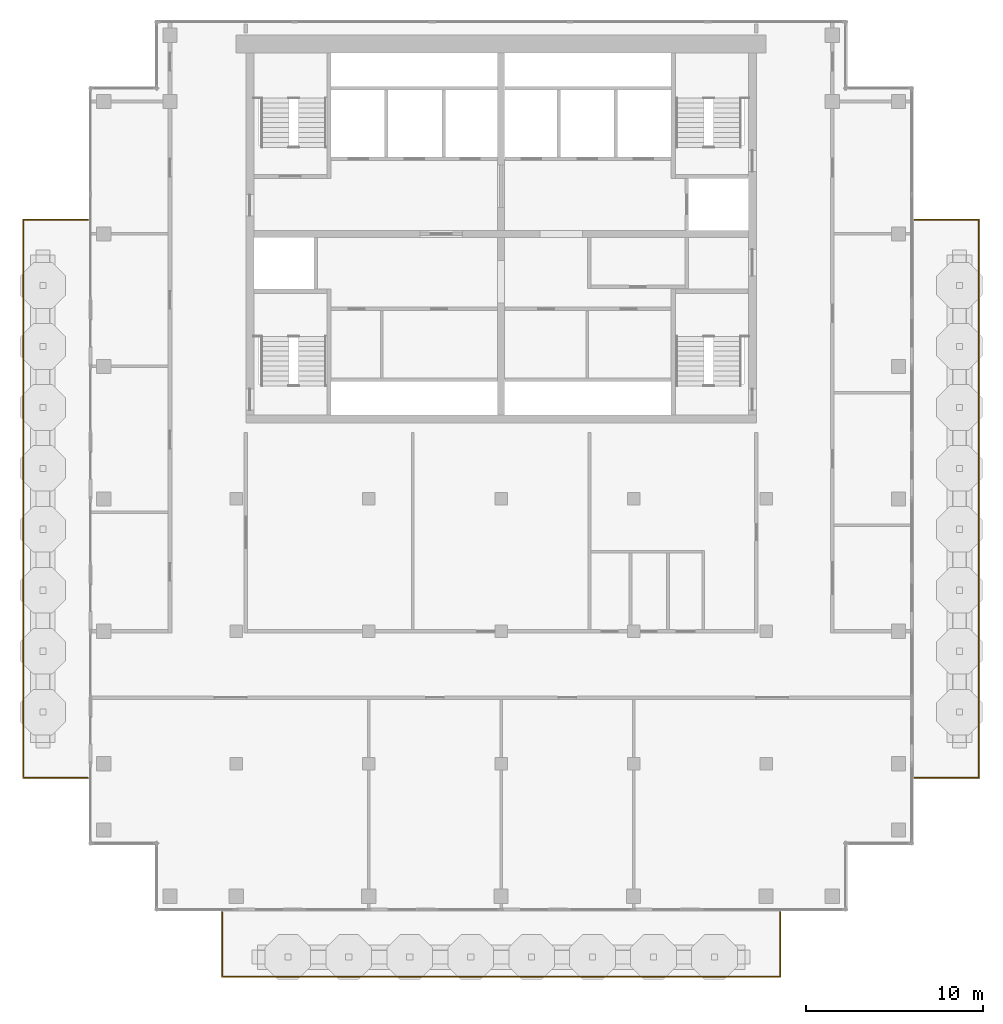
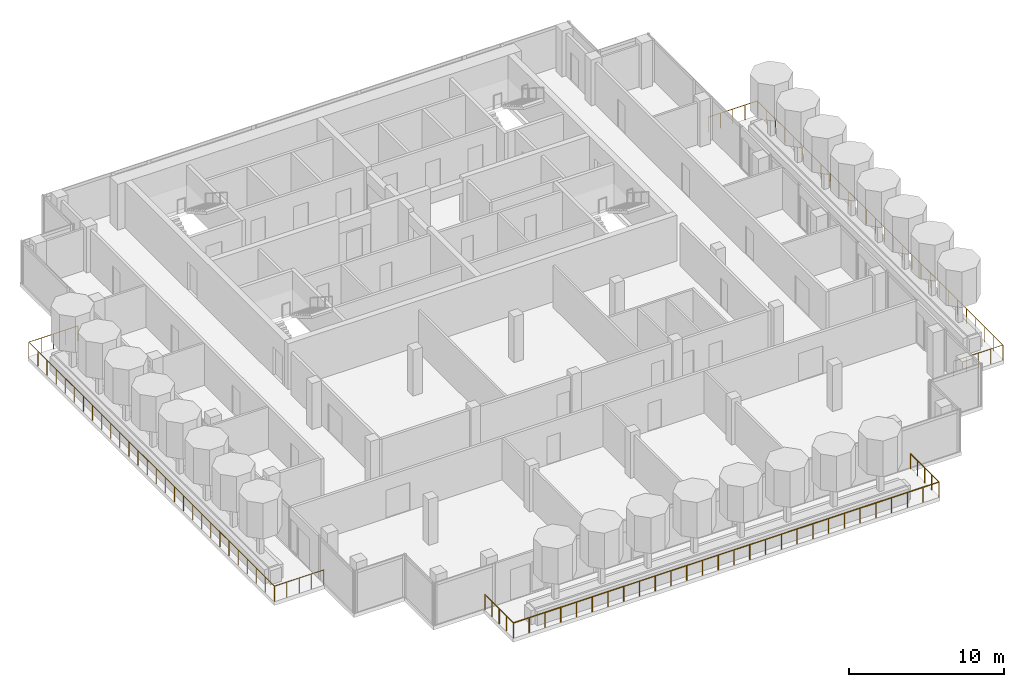
# One storey, part 10 of 12: 3 railings.
"""IFC4 building model written with IfcOpenShell, lengths in metres."""

from ifc_helpers import new_model, si_unit, direction, frame, origin, origin_2d, place, context, subcontext, project, spatial, circle, extrude, material, type_object, element, save


model = new_model("IFC4")

# Units and contexts
model_context = context("Model", 3, precision=1e-05, world=origin(), true_north=direction((0.0, 1.0)))
body_context = subcontext(model_context, "Body", "Model", "MODEL_VIEW")
ifc_project = project(units=[si_unit("LENGTHUNIT", "METRE"), si_unit("AREAUNIT", "SQUARE_METRE"), si_unit("VOLUMEUNIT", "CUBIC_METRE"), si_unit("PLANEANGLEUNIT", "RADIAN"), si_unit("MASSUNIT", "GRAM", prefix="KILO")], contexts=[model_context])

# Site, building, storey
site_placement = place(None, origin())
site = spatial("IfcSite", under=ifc_project, at=site_placement, CompositionType="ELEMENT")
building_placement = place(site_placement, origin())
building = spatial("IfcBuilding", under=site, at=building_placement, Name="Pilkhan Gate Tower", CompositionType="ELEMENT")
storey_placement = place(building_placement, frame((0.0, 0.0, 258.5)))
storey = spatial("IfcBuildingStorey", under=building, at=storey_placement, Name="L67", CompositionType="ELEMENT", Elevation=258.5)

# Railings
ifc_material = material(Name="Pale anodised aluminium posts, laminated glass infill", Category="aluminium")
railing_type = type_object("IfcRailingType", Name="Terrace guard G2", PredefinedType="BALUSTRADE", material=ifc_material)
railing_1_placement = place(storey_placement, frame((98.39990234375, 83.300048828125, 0.0)))
element("IfcRailing", 1, at=railing_1_placement, inside=storey, type_object=railing_type, Name="Terrace guard L67", PredefinedType="BALUSTRADE", context=body_context, shape_type="SweptSolid", body=[
    extrude(circle(Radius=0.02392578125, at=origin_2d()), frame((0.0, 0.0, 1.17578125), z_axis=(1.0, 0.0, 0.0), x_axis=(0.0, 1.0, 0.0)), (0.0, 0.0, 1.0), 3.650146484375),
    extrude(circle(Radius=0.02392578125, at=origin_2d()), frame((3.650146484375, 0.0, 1.17578125), z_axis=(0.0, -1.0, 0.0), x_axis=(1.0, 0.0, 0.0)), (0.0, 0.0, 1.0), 31.60009765625),
    extrude(circle(Radius=0.02392578125, at=origin_2d()), frame((3.650146484375, -31.60009765625, 1.17578125), z_axis=(-1.0, 0.0, 0.0), x_axis=(0.0, -1.0, 0.0)), (0.0, 0.0, 1.0), 3.650146484375),
    extrude(circle(Radius=0.02099609375, at=origin_2d()), origin(), (0.0, 0.0, 1.0), 1.15185546875),
    extrude(circle(Radius=0.02099609375, at=origin_2d()), frame((0.91259765625, 0.0, 0.0)), (0.0, 0.0, 1.0), 1.15185546875),
    extrude(circle(Radius=0.02099609375, at=origin_2d()), frame((1.8251953125, 0.0, 0.0)), (0.0, 0.0, 1.0), 1.15185546875),
    extrude(circle(Radius=0.02099609375, at=origin_2d()), frame((2.737548828125, 0.0, 0.0)), (0.0, 0.0, 1.0), 1.15185546875),
    extrude(circle(Radius=0.02099609375, at=origin_2d()), frame((3.650146484375, 0.0, 0.0)), (0.0, 0.0, 1.0), 1.15185546875),
    extrude(circle(Radius=0.02099609375, at=origin_2d()), frame((3.650146484375, -1.17041015625, 0.0)), (0.0, 0.0, 1.0), 1.15185546875),
    extrude(circle(Radius=0.02099609375, at=origin_2d()), frame((3.650146484375, -2.3408203125, 0.0)), (0.0, 0.0, 1.0), 1.15185546875),
    extrude(circle(Radius=0.02099609375, at=origin_2d()), frame((3.650146484375, -3.51123046875, 0.0)), (0.0, 0.0, 1.0), 1.15185546875),
    extrude(circle(Radius=0.02099609375, at=origin_2d()), frame((3.650146484375, -4.681396484375, 0.0)), (0.0, 0.0, 1.0), 1.15185546875),
    extrude(circle(Radius=0.02099609375, at=origin_2d()), frame((3.650146484375, -5.851806640625, 0.0)), (0.0, 0.0, 1.0), 1.15185546875),
    extrude(circle(Radius=0.02099609375, at=origin_2d()), frame((3.650146484375, -7.022216796875, 0.0)), (0.0, 0.0, 1.0), 1.15185546875),
    extrude(circle(Radius=0.02099609375, at=origin_2d()), frame((3.650146484375, -8.192626953125, 0.0)), (0.0, 0.0, 1.0), 1.15185546875),
    extrude(circle(Radius=0.02099609375, at=origin_2d()), frame((3.650146484375, -9.363037109375, 0.0)), (0.0, 0.0, 1.0), 1.15185546875),
    extrude(circle(Radius=0.02099609375, at=origin_2d()), frame((3.650146484375, -10.533447265625, 0.0)), (0.0, 0.0, 1.0), 1.15185546875),
    extrude(circle(Radius=0.02099609375, at=origin_2d()), frame((3.650146484375, -11.703857421875, 0.0)), (0.0, 0.0, 1.0), 1.15185546875),
    extrude(circle(Radius=0.02099609375, at=origin_2d()), frame((3.650146484375, -12.8740234375, 0.0)), (0.0, 0.0, 1.0), 1.15185546875),
    extrude(circle(Radius=0.02099609375, at=origin_2d()), frame((3.650146484375, -14.04443359375, 0.0)), (0.0, 0.0, 1.0), 1.15185546875),
    extrude(circle(Radius=0.02099609375, at=origin_2d()), frame((3.650146484375, -15.21484375, 0.0)), (0.0, 0.0, 1.0), 1.15185546875),
    extrude(circle(Radius=0.02099609375, at=origin_2d()), frame((3.650146484375, -16.38525390625, 0.0)), (0.0, 0.0, 1.0), 1.15185546875),
    extrude(circle(Radius=0.02099609375, at=origin_2d()), frame((3.650146484375, -17.5556640625, 0.0)), (0.0, 0.0, 1.0), 1.15185546875),
    extrude(circle(Radius=0.02099609375, at=origin_2d()), frame((3.650146484375, -18.72607421875, 0.0)), (0.0, 0.0, 1.0), 1.15185546875),
    extrude(circle(Radius=0.02099609375, at=origin_2d()), frame((3.650146484375, -19.896240234375, 0.0)), (0.0, 0.0, 1.0), 1.15185546875),
    extrude(circle(Radius=0.02099609375, at=origin_2d()), frame((3.650146484375, -21.066650390625, 0.0)), (0.0, 0.0, 1.0), 1.15185546875),
    extrude(circle(Radius=0.02099609375, at=origin_2d()), frame((3.650146484375, -22.237060546875, 0.0)), (0.0, 0.0, 1.0), 1.15185546875),
    extrude(circle(Radius=0.02099609375, at=origin_2d()), frame((3.650146484375, -23.407470703125, 0.0)), (0.0, 0.0, 1.0), 1.15185546875),
    extrude(circle(Radius=0.02099609375, at=origin_2d()), frame((3.650146484375, -24.577880859375, 0.0)), (0.0, 0.0, 1.0), 1.15185546875),
    extrude(circle(Radius=0.02099609375, at=origin_2d()), frame((3.650146484375, -25.748291015625, 0.0)), (0.0, 0.0, 1.0), 1.15185546875),
    extrude(circle(Radius=0.02099609375, at=origin_2d()), frame((3.650146484375, -26.918701171875, 0.0)), (0.0, 0.0, 1.0), 1.15185546875),
    extrude(circle(Radius=0.02099609375, at=origin_2d()), frame((3.650146484375, -28.0888671875, 0.0)), (0.0, 0.0, 1.0), 1.15185546875),
    extrude(circle(Radius=0.02099609375, at=origin_2d()), frame((3.650146484375, -29.25927734375, 0.0)), (0.0, 0.0, 1.0), 1.15185546875),
    extrude(circle(Radius=0.02099609375, at=origin_2d()), frame((3.650146484375, -30.4296875, 0.0)), (0.0, 0.0, 1.0), 1.15185546875),
    extrude(circle(Radius=0.02099609375, at=origin_2d()), frame((3.650146484375, -31.60009765625, 0.0)), (0.0, 0.0, 1.0), 1.15185546875),
    extrude(circle(Radius=0.02099609375, at=origin_2d()), frame((2.737548828125, -31.60009765625, 0.0)), (0.0, 0.0, 1.0), 1.15185546875),
    extrude(circle(Radius=0.02099609375, at=origin_2d()), frame((1.8251953125, -31.60009765625, 0.0)), (0.0, 0.0, 1.0), 1.15185546875),
    extrude(circle(Radius=0.02099609375, at=origin_2d()), frame((0.91259765625, -31.60009765625, 0.0)), (0.0, 0.0, 1.0), 1.15185546875),
    extrude(circle(Radius=0.02099609375, at=origin_2d()), frame((0.0, -31.60009765625, 0.0)), (0.0, 0.0, 1.0), 1.15185546875),
])
railing_2_placement = place(storey_placement, frame((90.800048828125, 44.10009765625, 0.0)))
element("IfcRailing", 2, at=railing_2_placement, inside=storey, type_object=railing_type, Name="Terrace guard L67", PredefinedType="BALUSTRADE", context=body_context, shape_type="SweptSolid", body=[
    extrude(circle(Radius=0.02392578125, at=origin_2d()), frame((0.0, 0.0, 1.17578125), z_axis=(0.0, -1.0, 0.0), x_axis=(1.0, 0.0, 0.0)), (0.0, 0.0, 1.0), 3.650146484375),
    extrude(circle(Radius=0.02392578125, at=origin_2d()), frame((0.0, -3.650146484375, 1.17578125), z_axis=(-1.0, 0.0, 0.0), x_axis=(0.0, -1.0, 0.0)), (0.0, 0.0, 1.0), 31.60009765625),
    extrude(circle(Radius=0.02392578125, at=origin_2d()), frame((-31.60009765625, -3.650146484375, 1.17578125), z_axis=(0.0, 1.0, 0.0), x_axis=(-1.0, 0.0, 0.0)), (0.0, 0.0, 1.0), 3.650146484375),
    extrude(circle(Radius=0.02099609375, at=origin_2d()), origin(), (0.0, 0.0, 1.0), 1.15185546875),
    extrude(circle(Radius=0.02099609375, at=origin_2d()), frame((0.0, -0.91259765625, 0.0)), (0.0, 0.0, 1.0), 1.15185546875),
    extrude(circle(Radius=0.02099609375, at=origin_2d()), frame((0.0, -1.8251953125, 0.0)), (0.0, 0.0, 1.0), 1.15185546875),
    extrude(circle(Radius=0.02099609375, at=origin_2d()), frame((0.0, -2.737548828125, 0.0)), (0.0, 0.0, 1.0), 1.15185546875),
    extrude(circle(Radius=0.02099609375, at=origin_2d()), frame((0.0, -3.650146484375, 0.0)), (0.0, 0.0, 1.0), 1.15185546875),
    extrude(circle(Radius=0.02099609375, at=origin_2d()), frame((-1.17041015625, -3.650146484375, 0.0)), (0.0, 0.0, 1.0), 1.15185546875),
    extrude(circle(Radius=0.02099609375, at=origin_2d()), frame((-2.3408203125, -3.650146484375, 0.0)), (0.0, 0.0, 1.0), 1.15185546875),
    extrude(circle(Radius=0.02099609375, at=origin_2d()), frame((-3.51123046875, -3.650146484375, 0.0)), (0.0, 0.0, 1.0), 1.15185546875),
    extrude(circle(Radius=0.02099609375, at=origin_2d()), frame((-4.681396484375, -3.650146484375, 0.0)), (0.0, 0.0, 1.0), 1.15185546875),
    extrude(circle(Radius=0.02099609375, at=origin_2d()), frame((-5.851806640625, -3.650146484375, 0.0)), (0.0, 0.0, 1.0), 1.15185546875),
    extrude(circle(Radius=0.02099609375, at=origin_2d()), frame((-7.022216796875, -3.650146484375, 0.0)), (0.0, 0.0, 1.0), 1.15185546875),
    extrude(circle(Radius=0.02099609375, at=origin_2d()), frame((-8.192626953125, -3.650146484375, 0.0)), (0.0, 0.0, 1.0), 1.15185546875),
    extrude(circle(Radius=0.02099609375, at=origin_2d()), frame((-9.363037109375, -3.650146484375, 0.0)), (0.0, 0.0, 1.0), 1.15185546875),
    extrude(circle(Radius=0.02099609375, at=origin_2d()), frame((-10.533447265625, -3.650146484375, 0.0)), (0.0, 0.0, 1.0), 1.15185546875),
    extrude(circle(Radius=0.02099609375, at=origin_2d()), frame((-11.703857421875, -3.650146484375, 0.0)), (0.0, 0.0, 1.0), 1.15185546875),
    extrude(circle(Radius=0.02099609375, at=origin_2d()), frame((-12.8740234375, -3.650146484375, 0.0)), (0.0, 0.0, 1.0), 1.15185546875),
    extrude(circle(Radius=0.02099609375, at=origin_2d()), frame((-14.04443359375, -3.650146484375, 0.0)), (0.0, 0.0, 1.0), 1.15185546875),
    extrude(circle(Radius=0.02099609375, at=origin_2d()), frame((-15.21484375, -3.650146484375, 0.0)), (0.0, 0.0, 1.0), 1.15185546875),
    extrude(circle(Radius=0.02099609375, at=origin_2d()), frame((-16.38525390625, -3.650146484375, 0.0)), (0.0, 0.0, 1.0), 1.15185546875),
    extrude(circle(Radius=0.02099609375, at=origin_2d()), frame((-17.5556640625, -3.650146484375, 0.0)), (0.0, 0.0, 1.0), 1.15185546875),
    extrude(circle(Radius=0.02099609375, at=origin_2d()), frame((-18.72607421875, -3.650146484375, 0.0)), (0.0, 0.0, 1.0), 1.15185546875),
    extrude(circle(Radius=0.02099609375, at=origin_2d()), frame((-19.896240234375, -3.650146484375, 0.0)), (0.0, 0.0, 1.0), 1.15185546875),
    extrude(circle(Radius=0.02099609375, at=origin_2d()), frame((-21.066650390625, -3.650146484375, 0.0)), (0.0, 0.0, 1.0), 1.15185546875),
    extrude(circle(Radius=0.02099609375, at=origin_2d()), frame((-22.237060546875, -3.650146484375, 0.0)), (0.0, 0.0, 1.0), 1.15185546875),
    extrude(circle(Radius=0.02099609375, at=origin_2d()), frame((-23.407470703125, -3.650146484375, 0.0)), (0.0, 0.0, 1.0), 1.15185546875),
    extrude(circle(Radius=0.02099609375, at=origin_2d()), frame((-24.577880859375, -3.650146484375, 0.0)), (0.0, 0.0, 1.0), 1.15185546875),
    extrude(circle(Radius=0.02099609375, at=origin_2d()), frame((-25.748291015625, -3.650146484375, 0.0)), (0.0, 0.0, 1.0), 1.15185546875),
    extrude(circle(Radius=0.02099609375, at=origin_2d()), frame((-26.918701171875, -3.650146484375, 0.0)), (0.0, 0.0, 1.0), 1.15185546875),
    extrude(circle(Radius=0.02099609375, at=origin_2d()), frame((-28.0888671875, -3.650146484375, 0.0)), (0.0, 0.0, 1.0), 1.15185546875),
    extrude(circle(Radius=0.02099609375, at=origin_2d()), frame((-29.25927734375, -3.650146484375, 0.0)), (0.0, 0.0, 1.0), 1.15185546875),
    extrude(circle(Radius=0.02099609375, at=origin_2d()), frame((-30.4296875, -3.650146484375, 0.0)), (0.0, 0.0, 1.0), 1.15185546875),
    extrude(circle(Radius=0.02099609375, at=origin_2d()), frame((-31.60009765625, -3.650146484375, 0.0)), (0.0, 0.0, 1.0), 1.15185546875),
    extrude(circle(Radius=0.02099609375, at=origin_2d()), frame((-31.60009765625, -2.737548828125, 0.0)), (0.0, 0.0, 1.0), 1.15185546875),
    extrude(circle(Radius=0.02099609375, at=origin_2d()), frame((-31.60009765625, -1.8251953125, 0.0)), (0.0, 0.0, 1.0), 1.15185546875),
    extrude(circle(Radius=0.02099609375, at=origin_2d()), frame((-31.60009765625, -0.91259765625, 0.0)), (0.0, 0.0, 1.0), 1.15185546875),
    extrude(circle(Radius=0.02099609375, at=origin_2d()), frame((-31.60009765625, 0.0, 0.0)), (0.0, 0.0, 1.0), 1.15185546875),
])
railing_3_placement = place(storey_placement, frame((51.60009765625, 51.699951171875, 0.0)))
element("IfcRailing", 3, at=railing_3_placement, inside=storey, type_object=railing_type, Name="Terrace guard L67", PredefinedType="BALUSTRADE", context=body_context, shape_type="SweptSolid", body=[
    extrude(circle(Radius=0.02392578125, at=origin_2d()), frame((0.0, 0.0, 1.17578125), z_axis=(-1.0, 0.0, 0.0), x_axis=(0.0, -1.0, 0.0)), (0.0, 0.0, 1.0), 3.650146484375),
    extrude(circle(Radius=0.02392578125, at=origin_2d()), frame((-3.650146484375, 0.0, 1.17578125), z_axis=(0.0, 1.0, 0.0), x_axis=(-1.0, 0.0, 0.0)), (0.0, 0.0, 1.0), 31.60009765625),
    extrude(circle(Radius=0.02392578125, at=origin_2d()), frame((-3.650146484375, 31.60009765625, 1.17578125), z_axis=(1.0, 0.0, 0.0), x_axis=(0.0, 1.0, 0.0)), (0.0, 0.0, 1.0), 3.650146484375),
    extrude(circle(Radius=0.02099609375, at=origin_2d()), origin(), (0.0, 0.0, 1.0), 1.15185546875),
    extrude(circle(Radius=0.02099609375, at=origin_2d()), frame((-0.91259765625, 0.0, 0.0)), (0.0, 0.0, 1.0), 1.15185546875),
    extrude(circle(Radius=0.02099609375, at=origin_2d()), frame((-1.8251953125, 0.0, 0.0)), (0.0, 0.0, 1.0), 1.15185546875),
    extrude(circle(Radius=0.02099609375, at=origin_2d()), frame((-2.737548828125, 0.0, 0.0)), (0.0, 0.0, 1.0), 1.15185546875),
    extrude(circle(Radius=0.02099609375, at=origin_2d()), frame((-3.650146484375, 0.0, 0.0)), (0.0, 0.0, 1.0), 1.15185546875),
    extrude(circle(Radius=0.02099609375, at=origin_2d()), frame((-3.650146484375, 1.17041015625, 0.0)), (0.0, 0.0, 1.0), 1.15185546875),
    extrude(circle(Radius=0.02099609375, at=origin_2d()), frame((-3.650146484375, 2.3408203125, 0.0)), (0.0, 0.0, 1.0), 1.15185546875),
    extrude(circle(Radius=0.02099609375, at=origin_2d()), frame((-3.650146484375, 3.51123046875, 0.0)), (0.0, 0.0, 1.0), 1.15185546875),
    extrude(circle(Radius=0.02099609375, at=origin_2d()), frame((-3.650146484375, 4.681396484375, 0.0)), (0.0, 0.0, 1.0), 1.15185546875),
    extrude(circle(Radius=0.02099609375, at=origin_2d()), frame((-3.650146484375, 5.851806640625, 0.0)), (0.0, 0.0, 1.0), 1.15185546875),
    extrude(circle(Radius=0.02099609375, at=origin_2d()), frame((-3.650146484375, 7.022216796875, 0.0)), (0.0, 0.0, 1.0), 1.15185546875),
    extrude(circle(Radius=0.02099609375, at=origin_2d()), frame((-3.650146484375, 8.192626953125, 0.0)), (0.0, 0.0, 1.0), 1.15185546875),
    extrude(circle(Radius=0.02099609375, at=origin_2d()), frame((-3.650146484375, 9.363037109375, 0.0)), (0.0, 0.0, 1.0), 1.15185546875),
    extrude(circle(Radius=0.02099609375, at=origin_2d()), frame((-3.650146484375, 10.533447265625, 0.0)), (0.0, 0.0, 1.0), 1.15185546875),
    extrude(circle(Radius=0.02099609375, at=origin_2d()), frame((-3.650146484375, 11.703857421875, 0.0)), (0.0, 0.0, 1.0), 1.15185546875),
    extrude(circle(Radius=0.02099609375, at=origin_2d()), frame((-3.650146484375, 12.8740234375, 0.0)), (0.0, 0.0, 1.0), 1.15185546875),
    extrude(circle(Radius=0.02099609375, at=origin_2d()), frame((-3.650146484375, 14.04443359375, 0.0)), (0.0, 0.0, 1.0), 1.15185546875),
    extrude(circle(Radius=0.02099609375, at=origin_2d()), frame((-3.650146484375, 15.21484375, 0.0)), (0.0, 0.0, 1.0), 1.15185546875),
    extrude(circle(Radius=0.02099609375, at=origin_2d()), frame((-3.650146484375, 16.38525390625, 0.0)), (0.0, 0.0, 1.0), 1.15185546875),
    extrude(circle(Radius=0.02099609375, at=origin_2d()), frame((-3.650146484375, 17.5556640625, 0.0)), (0.0, 0.0, 1.0), 1.15185546875),
    extrude(circle(Radius=0.02099609375, at=origin_2d()), frame((-3.650146484375, 18.72607421875, 0.0)), (0.0, 0.0, 1.0), 1.15185546875),
    extrude(circle(Radius=0.02099609375, at=origin_2d()), frame((-3.650146484375, 19.896240234375, 0.0)), (0.0, 0.0, 1.0), 1.15185546875),
    extrude(circle(Radius=0.02099609375, at=origin_2d()), frame((-3.650146484375, 21.066650390625, 0.0)), (0.0, 0.0, 1.0), 1.15185546875),
    extrude(circle(Radius=0.02099609375, at=origin_2d()), frame((-3.650146484375, 22.237060546875, 0.0)), (0.0, 0.0, 1.0), 1.15185546875),
    extrude(circle(Radius=0.02099609375, at=origin_2d()), frame((-3.650146484375, 23.407470703125, 0.0)), (0.0, 0.0, 1.0), 1.15185546875),
    extrude(circle(Radius=0.02099609375, at=origin_2d()), frame((-3.650146484375, 24.577880859375, 0.0)), (0.0, 0.0, 1.0), 1.15185546875),
    extrude(circle(Radius=0.02099609375, at=origin_2d()), frame((-3.650146484375, 25.748291015625, 0.0)), (0.0, 0.0, 1.0), 1.15185546875),
    extrude(circle(Radius=0.02099609375, at=origin_2d()), frame((-3.650146484375, 26.918701171875, 0.0)), (0.0, 0.0, 1.0), 1.15185546875),
    extrude(circle(Radius=0.02099609375, at=origin_2d()), frame((-3.650146484375, 28.0888671875, 0.0)), (0.0, 0.0, 1.0), 1.15185546875),
    extrude(circle(Radius=0.02099609375, at=origin_2d()), frame((-3.650146484375, 29.25927734375, 0.0)), (0.0, 0.0, 1.0), 1.15185546875),
    extrude(circle(Radius=0.02099609375, at=origin_2d()), frame((-3.650146484375, 30.4296875, 0.0)), (0.0, 0.0, 1.0), 1.15185546875),
    extrude(circle(Radius=0.02099609375, at=origin_2d()), frame((-3.650146484375, 31.60009765625, 0.0)), (0.0, 0.0, 1.0), 1.15185546875),
    extrude(circle(Radius=0.02099609375, at=origin_2d()), frame((-2.737548828125, 31.60009765625, 0.0)), (0.0, 0.0, 1.0), 1.15185546875),
    extrude(circle(Radius=0.02099609375, at=origin_2d()), frame((-1.8251953125, 31.60009765625, 0.0)), (0.0, 0.0, 1.0), 1.15185546875),
    extrude(circle(Radius=0.02099609375, at=origin_2d()), frame((-0.91259765625, 31.60009765625, 0.0)), (0.0, 0.0, 1.0), 1.15185546875),
    extrude(circle(Radius=0.02099609375, at=origin_2d()), frame((0.0, 31.60009765625, 0.0)), (0.0, 0.0, 1.0), 1.15185546875),
])

save(model, "model.ifc")
